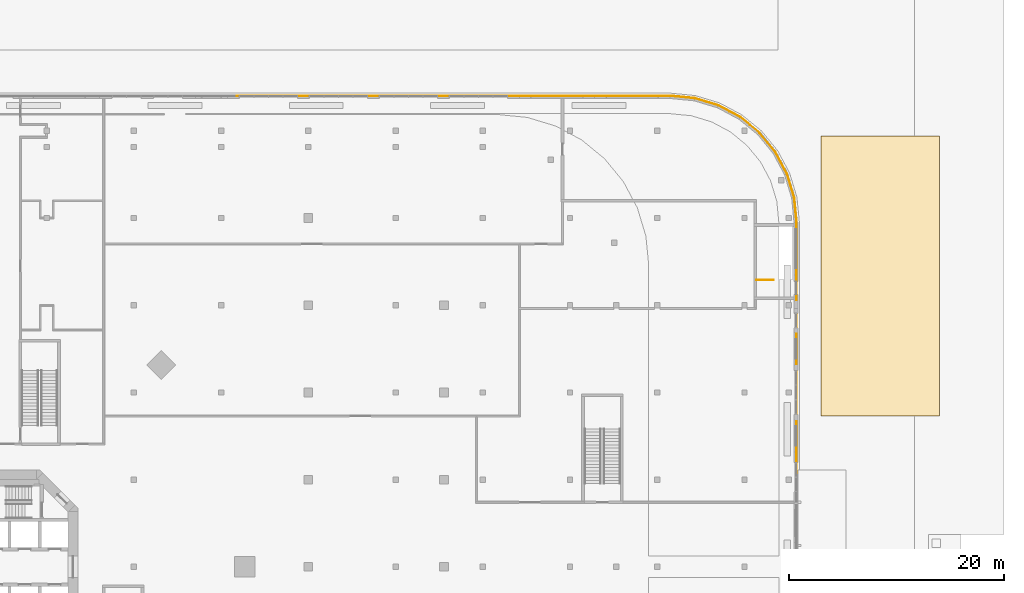
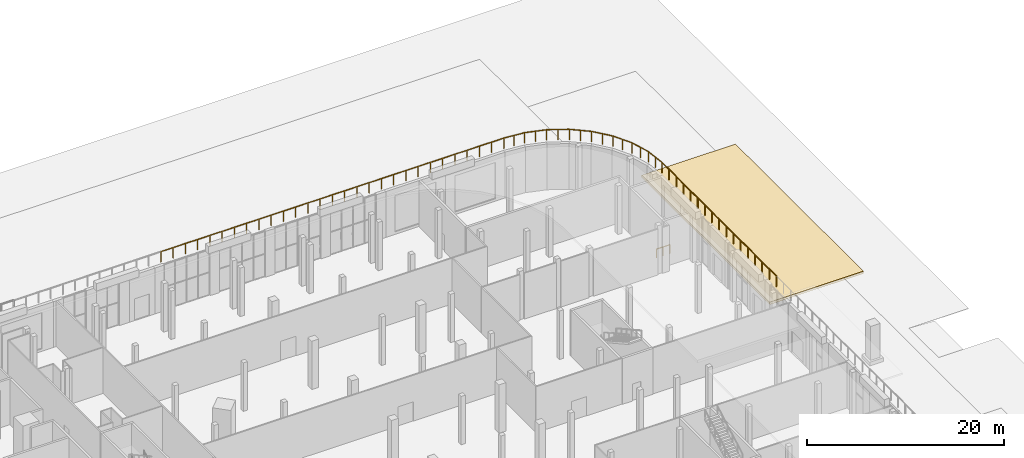
# One storey, part 31 of 32: 20 railings, 1 covering.
"""IFC4 building model written with IfcOpenShell, lengths in metres."""

from ifc_helpers import new_model, si_unit, direction, frame, origin, origin_2d, place, context, subcontext, project, spatial, polyline, rectangle, outline, extrude, material, layer, layer_set, type_object, element, save


model = new_model("IFC4")

# Units and contexts
model_context = context("Model", 3, precision=1e-05, world=origin(), true_north=direction((0.0, 1.0)))
body_context = subcontext(model_context, "Body", "Model", "MODEL_VIEW")
ifc_project = project(units=[si_unit("LENGTHUNIT", "METRE"), si_unit("AREAUNIT", "SQUARE_METRE"), si_unit("VOLUMEUNIT", "CUBIC_METRE"), si_unit("PLANEANGLEUNIT", "RADIAN"), si_unit("MASSUNIT", "GRAM", prefix="KILO")], contexts=[model_context])

# Site, building, storey
site_placement = place(None, origin())
site = spatial("IfcSite", under=ifc_project, at=site_placement, CompositionType="ELEMENT")
building_placement = place(site_placement, origin())
building = spatial("IfcBuilding", under=site, at=building_placement, Name="Torre Triforio", CompositionType="ELEMENT")
storey_placement = place(building_placement, origin())
storey = spatial("IfcBuildingStorey", under=building, at=storey_placement, Name="L00", CompositionType="ELEMENT", Elevation=0.0)

# Covering
ifc_material_1 = material(Name="Planted topsoil bed")
ifc_layer = layer(ifc_material_1, 0.300048828125)
ifc_layer_set = layer_set([ifc_layer], Name="Planted topsoil bed")
covering_type = type_object("IfcCoveringType", Name="Planted bed 300", PredefinedType="FLOORING", material=ifc_layer_set)
covering_placement = place(storey_placement, frame((0.0, 0.0, -0.25)))
element("IfcCovering", 1, at=covering_placement, inside=storey, type_object=covering_type, Name="Public garden planted bed east north", PredefinedType="FLOORING", context=body_context, shape_type="SweptSolid", body=[
    extrude(outline(polyline([(91.0, 14.0), (91.0, 40.0), (80.0, 40.0), (80.0, 14.0), (91.0, 14.0)])), origin(), (0.0, 0.0, 1.0), 0.300048828125),
])

# Railings
ifc_material_2 = material(Name="Stainless steel AISI 316", Category="steel")
railing_type_1 = type_object("IfcRailingType", Name="Stair well guard 1100", PredefinedType="GUARDRAIL", material=ifc_material_2)
railing_1_placement = place(storey_placement, frame((74.02490234375, 26.625, 0.0)))
element("IfcRailing", 2, at=railing_1_placement, inside=storey, type_object=railing_type_1, Name="Guard BS4 L00", PredefinedType="GUARDRAIL", context=body_context, shape_type="SweptSolid", body=[
    extrude(rectangle(XDim=0.048095703125, YDim=0.048095703125, at=origin_2d()), frame((0.0, 0.0, 1.076171875), z_axis=(1.0, 0.0, 0.0), x_axis=(0.0, 1.0, 0.0)), (0.0, 0.0, 1.0), 1.550048828125),
    extrude(rectangle(XDim=0.0419921875, YDim=0.0419921875, at=origin_2d()), origin(), (0.0, 0.0, 1.0), 1.052001953125),
    extrude(rectangle(XDim=0.0419921875, YDim=0.0419921875, at=origin_2d()), frame((0.77490234375, 0.0, 0.0)), (0.0, 0.0, 1.0), 1.052001953125),
    extrude(rectangle(XDim=0.0419921875, YDim=0.0419921875, at=origin_2d()), frame((1.550048828125, 0.0, 0.0)), (0.0, 0.0, 1.0), 1.052001953125),
])
railing_type_2 = type_object("IfcRailingType", Name="Terrace balustrade 1300", PredefinedType="BALUSTRADE", material=ifc_material_2)
for number, where, name in (
    (3, (77.75, 8.723876953125, 6.0), "Terrace T1 balustrade 09.8"),
    (4, (77.75, 14.539794921875, 6.0), "Terrace T1 balustrade 09.9"),
):
    element("IfcRailing", number, at=place(storey_placement, frame(where)), inside=storey, type_object=railing_type_2, Name=name, PredefinedType="BALUSTRADE", context=body_context, shape_type="SweptSolid", body=[
        extrude(rectangle(XDim=0.050048828125, YDim=0.050048828125, at=origin_2d()), frame((0.0, 0.0, 1.27490234375), z_axis=(0.0, 1.0, 0.0), x_axis=(-1.0, 0.0, 0.0)), (0.0, 0.0, 1.0), 5.81591796875),
        extrude(rectangle(XDim=0.0400390625, YDim=0.0400390625, at=origin_2d()), origin(), (0.0, 0.0, 1.0), 1.25),
        extrude(rectangle(XDim=0.0400390625, YDim=0.0400390625, at=origin_2d()), frame((0.0, 1.4541015625, 0.0)), (0.0, 0.0, 1.0), 1.25),
        extrude(rectangle(XDim=0.0400390625, YDim=0.0400390625, at=origin_2d()), frame((0.0, 2.907958984375, 0.0)), (0.0, 0.0, 1.0), 1.25),
        extrude(rectangle(XDim=0.0400390625, YDim=0.0400390625, at=origin_2d()), frame((0.0, 4.36181640625, 0.0)), (0.0, 0.0, 1.0), 1.25),
        extrude(rectangle(XDim=0.0400390625, YDim=0.0400390625, at=origin_2d()), frame((0.0, 5.81591796875, 0.0)), (0.0, 0.0, 1.0), 1.25),
    ])
railing_2_placement = place(storey_placement, frame((77.75, 20.355712890625, 6.0)))
element("IfcRailing", 5, at=railing_2_placement, inside=storey, type_object=railing_type_2, Name="Terrace T1 balustrade 09.10", PredefinedType="BALUSTRADE", context=body_context, shape_type="SweptSolid", body=[
    extrude(rectangle(XDim=0.050048828125, YDim=0.050048828125, at=origin_2d()), frame((0.0, 0.0, 1.27490234375), z_axis=(0.0, 1.0, 0.0), x_axis=(-1.0, 0.0, 0.0)), (0.0, 0.0, 1.0), 5.816162109375),
    extrude(rectangle(XDim=0.0400390625, YDim=0.0400390625, at=origin_2d()), origin(), (0.0, 0.0, 1.0), 1.25),
    extrude(rectangle(XDim=0.0400390625, YDim=0.0400390625, at=origin_2d()), frame((0.0, 1.4541015625, 0.0)), (0.0, 0.0, 1.0), 1.25),
    extrude(rectangle(XDim=0.0400390625, YDim=0.0400390625, at=origin_2d()), frame((0.0, 2.908203125, 0.0)), (0.0, 0.0, 1.0), 1.25),
    extrude(rectangle(XDim=0.0400390625, YDim=0.0400390625, at=origin_2d()), frame((0.0, 4.362060546875, 0.0)), (0.0, 0.0, 1.0), 1.25),
    extrude(rectangle(XDim=0.0400390625, YDim=0.0400390625, at=origin_2d()), frame((0.0, 5.816162109375, 0.0)), (0.0, 0.0, 1.0), 1.25),
])
railing_3_placement = place(storey_placement, frame((77.75, 26.171875, 6.0)))
element("IfcRailing", 6, at=railing_3_placement, inside=storey, type_object=railing_type_2, Name="Terrace T1 balustrade 09.11", PredefinedType="BALUSTRADE", context=body_context, shape_type="SweptSolid", body=[
    extrude(rectangle(XDim=0.050048828125, YDim=0.050048828125, at=origin_2d()), frame((0.0, 0.0, 1.27490234375), z_axis=(0.0, 1.0, 0.0), x_axis=(-1.0, 0.0, 0.0)), (0.0, 0.0, 1.0), 5.81591796875),
    extrude(rectangle(XDim=0.0400390625, YDim=0.0400390625, at=origin_2d()), origin(), (0.0, 0.0, 1.0), 1.25),
    extrude(rectangle(XDim=0.0400390625, YDim=0.0400390625, at=origin_2d()), frame((0.0, 1.4541015625, 0.0)), (0.0, 0.0, 1.0), 1.25),
    extrude(rectangle(XDim=0.0400390625, YDim=0.0400390625, at=origin_2d()), frame((0.0, 2.907958984375, 0.0)), (0.0, 0.0, 1.0), 1.25),
    extrude(rectangle(XDim=0.0400390625, YDim=0.0400390625, at=origin_2d()), frame((0.0, 4.36181640625, 0.0)), (0.0, 0.0, 1.0), 1.25),
    extrude(rectangle(XDim=0.0400390625, YDim=0.0400390625, at=origin_2d()), frame((0.0, 5.81591796875, 0.0)), (0.0, 0.0, 1.0), 1.25),
])
railing_4_placement = place(storey_placement, frame((77.75, 31.98779296875, 6.0)))
element("IfcRailing", 7, at=railing_4_placement, inside=storey, type_object=railing_type_2, Name="Terrace T1 balustrade 10", PredefinedType="BALUSTRADE", context=body_context, shape_type="SweptSolid", body=[
    extrude(rectangle(XDim=0.050048828125, YDim=0.050048828125, at=origin_2d()), frame((0.0, 0.0, 1.27490234375), z_axis=(-0.098062895086, 0.99518021916, 0.0), x_axis=(-0.99518021916, -0.098062895086, 0.0)), (0.0, 0.0, 1.0), 2.3154296875),
    extrude(rectangle(XDim=0.0400390625, YDim=0.0400390625, at=origin_2d()), origin(), (0.0, 0.0, 1.0), 1.25),
    extrude(rectangle(XDim=0.0400390625, YDim=0.0400390625, at=origin_2d()), frame((-0.113525390625, 1.152099609375, 0.0)), (0.0, 0.0, 1.0), 1.25),
    extrude(rectangle(XDim=0.0400390625, YDim=0.0400390625, at=origin_2d()), frame((-0.22705078125, 2.30419921875, 0.0)), (0.0, 0.0, 1.0), 1.25),
])
railing_5_placement = place(storey_placement, frame((77.52294921875, 34.2919921875, 6.0)))
element("IfcRailing", 8, at=railing_5_placement, inside=storey, type_object=railing_type_2, Name="Terrace T1 balustrade 11", PredefinedType="BALUSTRADE", context=body_context, shape_type="SweptSolid", body=[
    extrude(rectangle(XDim=0.050048828125, YDim=0.050048828125, at=origin_2d()), frame((0.0, 0.0, 1.27490234375), z_axis=(-0.290225091232, 0.956958408929, 0.0), x_axis=(-0.956958408929, -0.290225091232, 0.0)), (0.0, 0.0, 1.0), 2.30322265625),
    extrude(rectangle(XDim=0.0400390625, YDim=0.0400390625, at=origin_2d()), origin(), (0.0, 0.0, 1.0), 1.25),
    extrude(rectangle(XDim=0.0400390625, YDim=0.0400390625, at=origin_2d()), frame((-0.334228515625, 1.10205078125, 0.0)), (0.0, 0.0, 1.0), 1.25),
    extrude(rectangle(XDim=0.0400390625, YDim=0.0400390625, at=origin_2d()), frame((-0.66845703125, 2.2041015625, 0.0)), (0.0, 0.0, 1.0), 1.25),
])
railing_6_placement = place(storey_placement, frame((76.8544921875, 36.49609375, 6.0)))
element("IfcRailing", 9, at=railing_6_placement, inside=storey, type_object=railing_type_2, Name="Terrace T1 balustrade 12", PredefinedType="BALUSTRADE", context=body_context, shape_type="SweptSolid", body=[
    extrude(rectangle(XDim=0.050048828125, YDim=0.050048828125, at=origin_2d()), frame((0.0, 0.0, 1.27490234375), z_axis=(-0.471385800251, 0.881927109982, 0.0), x_axis=(-0.881927109982, -0.471385800251, 0.0)), (0.0, 0.0, 1.0), 2.30322265625),
    extrude(rectangle(XDim=0.0400390625, YDim=0.0400390625, at=origin_2d()), origin(), (0.0, 0.0, 1.0), 1.25),
    extrude(rectangle(XDim=0.0400390625, YDim=0.0400390625, at=origin_2d()), frame((-0.54296875, 1.015625, 0.0)), (0.0, 0.0, 1.0), 1.25),
    extrude(rectangle(XDim=0.0400390625, YDim=0.0400390625, at=origin_2d()), frame((-1.085693359375, 2.03125, 0.0)), (0.0, 0.0, 1.0), 1.25),
])
railing_7_placement = place(storey_placement, frame((75.768798828125, 38.52734375, 6.0)))
element("IfcRailing", 10, at=railing_7_placement, inside=storey, type_object=railing_type_2, Name="Terrace T1 balustrade 13", PredefinedType="BALUSTRADE", context=body_context, shape_type="SweptSolid", body=[
    extrude(rectangle(XDim=0.050048828125, YDim=0.050048828125, at=origin_2d()), frame((0.0, 0.0, 1.27490234375), z_axis=(-0.634431938273, 0.772978729137, 0.0), x_axis=(-0.772978729137, -0.634431938273, 0.0)), (0.0, 0.0, 1.0), 2.30322265625),
    extrude(rectangle(XDim=0.0400390625, YDim=0.0400390625, at=origin_2d()), origin(), (0.0, 0.0, 1.0), 1.25),
    extrude(rectangle(XDim=0.0400390625, YDim=0.0400390625, at=origin_2d()), frame((-0.73046875, 0.89013671875, 0.0)), (0.0, 0.0, 1.0), 1.25),
    extrude(rectangle(XDim=0.0400390625, YDim=0.0400390625, at=origin_2d()), frame((-1.461181640625, 1.7802734375, 0.0)), (0.0, 0.0, 1.0), 1.25),
])
railing_8_placement = place(storey_placement, frame((74.3076171875, 40.3076171875, 6.0)))
element("IfcRailing", 11, at=railing_8_placement, inside=storey, type_object=railing_type_2, Name="Terrace T1 balustrade 14", PredefinedType="BALUSTRADE", context=body_context, shape_type="SweptSolid", body=[
    extrude(rectangle(XDim=0.050048828125, YDim=0.050048828125, at=origin_2d()), frame((0.0, 0.0, 1.27490234375), z_axis=(-0.772978729137, 0.634431938273, 0.0), x_axis=(-0.634431938273, -0.772978729137, 0.0)), (0.0, 0.0, 1.0), 2.30322265625),
    extrude(rectangle(XDim=0.0400390625, YDim=0.0400390625, at=origin_2d()), origin(), (0.0, 0.0, 1.0), 1.25),
    extrude(rectangle(XDim=0.0400390625, YDim=0.0400390625, at=origin_2d()), frame((-0.89013671875, 0.73046875, 0.0)), (0.0, 0.0, 1.0), 1.25),
    extrude(rectangle(XDim=0.0400390625, YDim=0.0400390625, at=origin_2d()), frame((-1.7802734375, 1.461181640625, 0.0)), (0.0, 0.0, 1.0), 1.25),
])
railing_9_placement = place(storey_placement, frame((72.52734375, 41.768798828125, 6.0)))
element("IfcRailing", 12, at=railing_9_placement, inside=storey, type_object=railing_type_2, Name="Terrace T1 balustrade 15", PredefinedType="BALUSTRADE", context=body_context, shape_type="SweptSolid", body=[
    extrude(rectangle(XDim=0.050048828125, YDim=0.050048828125, at=origin_2d()), frame((0.0, 0.0, 1.27490234375), z_axis=(-0.881927109982, 0.471385800251, 0.0), x_axis=(-0.471385800251, -0.881927109982, 0.0)), (0.0, 0.0, 1.0), 2.30322265625),
    extrude(rectangle(XDim=0.0400390625, YDim=0.0400390625, at=origin_2d()), origin(), (0.0, 0.0, 1.0), 1.25),
    extrude(rectangle(XDim=0.0400390625, YDim=0.0400390625, at=origin_2d()), frame((-1.015625, 0.54296875, 0.0)), (0.0, 0.0, 1.0), 1.25),
    extrude(rectangle(XDim=0.0400390625, YDim=0.0400390625, at=origin_2d()), frame((-2.03125, 1.085693359375, 0.0)), (0.0, 0.0, 1.0), 1.25),
])
railing_10_placement = place(storey_placement, frame((70.49609375, 42.8544921875, 6.0)))
element("IfcRailing", 13, at=railing_10_placement, inside=storey, type_object=railing_type_2, Name="Terrace T1 balustrade 16", PredefinedType="BALUSTRADE", context=body_context, shape_type="SweptSolid", body=[
    extrude(rectangle(XDim=0.050048828125, YDim=0.050048828125, at=origin_2d()), frame((0.0, 0.0, 1.27490234375), z_axis=(-0.956958408929, 0.290225091232, 0.0), x_axis=(-0.290225091232, -0.956958408929, 0.0)), (0.0, 0.0, 1.0), 2.30322265625),
    extrude(rectangle(XDim=0.0400390625, YDim=0.0400390625, at=origin_2d()), origin(), (0.0, 0.0, 1.0), 1.25),
    extrude(rectangle(XDim=0.0400390625, YDim=0.0400390625, at=origin_2d()), frame((-1.10205078125, 0.334228515625, 0.0)), (0.0, 0.0, 1.0), 1.25),
    extrude(rectangle(XDim=0.0400390625, YDim=0.0400390625, at=origin_2d()), frame((-2.2041015625, 0.66845703125, 0.0)), (0.0, 0.0, 1.0), 1.25),
])
railing_11_placement = place(storey_placement, frame((68.2919921875, 43.52294921875, 6.0)))
element("IfcRailing", 14, at=railing_11_placement, inside=storey, type_object=railing_type_2, Name="Terrace T1 balustrade 17", PredefinedType="BALUSTRADE", context=body_context, shape_type="SweptSolid", body=[
    extrude(rectangle(XDim=0.050048828125, YDim=0.050048828125, at=origin_2d()), frame((0.0, 0.0, 1.27490234375), z_axis=(-0.99518021916, 0.098062895086, 0.0), x_axis=(-0.098062895086, -0.99518021916, 0.0)), (0.0, 0.0, 1.0), 2.3154296875),
    extrude(rectangle(XDim=0.0400390625, YDim=0.0400390625, at=origin_2d()), origin(), (0.0, 0.0, 1.0), 1.25),
    extrude(rectangle(XDim=0.0400390625, YDim=0.0400390625, at=origin_2d()), frame((-1.152099609375, 0.113525390625, 0.0)), (0.0, 0.0, 1.0), 1.25),
    extrude(rectangle(XDim=0.0400390625, YDim=0.0400390625, at=origin_2d()), frame((-2.30419921875, 0.22705078125, 0.0)), (0.0, 0.0, 1.0), 1.25),
])
for number, where, name in (
    (15, (65.98779296875, 43.75, 6.0), "Terrace T1 balustrade 18.1"),
    (16, (60.2392578125, 43.75, 6.0), "Terrace T1 balustrade 18.2"),
    (17, (54.49072265625, 43.75, 6.0), "Terrace T1 balustrade 18.3"),
):
    element("IfcRailing", number, at=place(storey_placement, frame(where)), inside=storey, type_object=railing_type_2, Name=name, PredefinedType="BALUSTRADE", context=body_context, shape_type="SweptSolid", body=[
        extrude(rectangle(XDim=0.050048828125, YDim=0.050048828125, at=origin_2d()), frame((0.0, 0.0, 1.27490234375), z_axis=(-1.0, 0.0, 0.0), x_axis=(0.0, -1.0, 0.0)), (0.0, 0.0, 1.0), 5.74853515625),
        extrude(rectangle(XDim=0.0400390625, YDim=0.0400390625, at=origin_2d()), origin(), (0.0, 0.0, 1.0), 1.25),
        extrude(rectangle(XDim=0.0400390625, YDim=0.0400390625, at=origin_2d()), frame((-1.43701171875, 0.0, 0.0)), (0.0, 0.0, 1.0), 1.25),
        extrude(rectangle(XDim=0.0400390625, YDim=0.0400390625, at=origin_2d()), frame((-2.874267578125, 0.0, 0.0)), (0.0, 0.0, 1.0), 1.25),
        extrude(rectangle(XDim=0.0400390625, YDim=0.0400390625, at=origin_2d()), frame((-4.3115234375, 0.0, 0.0)), (0.0, 0.0, 1.0), 1.25),
        extrude(rectangle(XDim=0.0400390625, YDim=0.0400390625, at=origin_2d()), frame((-5.74853515625, 0.0, 0.0)), (0.0, 0.0, 1.0), 1.25),
    ])
railing_12_placement = place(storey_placement, frame((48.7421875, 43.75, 6.0)))
element("IfcRailing", 18, at=railing_12_placement, inside=storey, type_object=railing_type_2, Name="Terrace T1 balustrade 18.4", PredefinedType="BALUSTRADE", context=body_context, shape_type="SweptSolid", body=[
    extrude(rectangle(XDim=0.050048828125, YDim=0.050048828125, at=origin_2d()), frame((0.0, 0.0, 1.27490234375), z_axis=(-1.0, 0.0, 0.0), x_axis=(0.0, -1.0, 0.0)), (0.0, 0.0, 1.0), 5.748291015625),
    extrude(rectangle(XDim=0.0400390625, YDim=0.0400390625, at=origin_2d()), origin(), (0.0, 0.0, 1.0), 1.25),
    extrude(rectangle(XDim=0.0400390625, YDim=0.0400390625, at=origin_2d()), frame((-1.43701171875, 0.0, 0.0)), (0.0, 0.0, 1.0), 1.25),
    extrude(rectangle(XDim=0.0400390625, YDim=0.0400390625, at=origin_2d()), frame((-2.8740234375, 0.0, 0.0)), (0.0, 0.0, 1.0), 1.25),
    extrude(rectangle(XDim=0.0400390625, YDim=0.0400390625, at=origin_2d()), frame((-4.311279296875, 0.0, 0.0)), (0.0, 0.0, 1.0), 1.25),
    extrude(rectangle(XDim=0.0400390625, YDim=0.0400390625, at=origin_2d()), frame((-5.748291015625, 0.0, 0.0)), (0.0, 0.0, 1.0), 1.25),
])
for number, where, name in (
    (19, (42.993896484375, 43.75, 6.0), "Terrace T1 balustrade 18.5"),
    (20, (37.245361328125, 43.75, 6.0), "Terrace T1 balustrade 18.6"),
):
    element("IfcRailing", number, at=place(storey_placement, frame(where)), inside=storey, type_object=railing_type_2, Name=name, PredefinedType="BALUSTRADE", context=body_context, shape_type="SweptSolid", body=[
        extrude(rectangle(XDim=0.050048828125, YDim=0.050048828125, at=origin_2d()), frame((0.0, 0.0, 1.27490234375), z_axis=(-1.0, 0.0, 0.0), x_axis=(0.0, -1.0, 0.0)), (0.0, 0.0, 1.0), 5.74853515625),
        extrude(rectangle(XDim=0.0400390625, YDim=0.0400390625, at=origin_2d()), origin(), (0.0, 0.0, 1.0), 1.25),
        extrude(rectangle(XDim=0.0400390625, YDim=0.0400390625, at=origin_2d()), frame((-1.43701171875, 0.0, 0.0)), (0.0, 0.0, 1.0), 1.25),
        extrude(rectangle(XDim=0.0400390625, YDim=0.0400390625, at=origin_2d()), frame((-2.874267578125, 0.0, 0.0)), (0.0, 0.0, 1.0), 1.25),
        extrude(rectangle(XDim=0.0400390625, YDim=0.0400390625, at=origin_2d()), frame((-4.3115234375, 0.0, 0.0)), (0.0, 0.0, 1.0), 1.25),
        extrude(rectangle(XDim=0.0400390625, YDim=0.0400390625, at=origin_2d()), frame((-5.74853515625, 0.0, 0.0)), (0.0, 0.0, 1.0), 1.25),
    ])
railing_13_placement = place(storey_placement, frame((31.496826171875, 43.75, 6.0)))
element("IfcRailing", 21, at=railing_13_placement, inside=storey, type_object=railing_type_2, Name="Terrace T1 balustrade 18.7", PredefinedType="BALUSTRADE", context=body_context, shape_type="SweptSolid", body=[
    extrude(rectangle(XDim=0.050048828125, YDim=0.050048828125, at=origin_2d()), frame((0.0, 0.0, 1.27490234375), z_axis=(-1.0, 0.0, 0.0), x_axis=(0.0, -1.0, 0.0)), (0.0, 0.0, 1.0), 5.748291015625),
    extrude(rectangle(XDim=0.0400390625, YDim=0.0400390625, at=origin_2d()), origin(), (0.0, 0.0, 1.0), 1.25),
    extrude(rectangle(XDim=0.0400390625, YDim=0.0400390625, at=origin_2d()), frame((-1.43701171875, 0.0, 0.0)), (0.0, 0.0, 1.0), 1.25),
    extrude(rectangle(XDim=0.0400390625, YDim=0.0400390625, at=origin_2d()), frame((-2.8740234375, 0.0, 0.0)), (0.0, 0.0, 1.0), 1.25),
    extrude(rectangle(XDim=0.0400390625, YDim=0.0400390625, at=origin_2d()), frame((-4.311279296875, 0.0, 0.0)), (0.0, 0.0, 1.0), 1.25),
    extrude(rectangle(XDim=0.0400390625, YDim=0.0400390625, at=origin_2d()), frame((-5.748291015625, 0.0, 0.0)), (0.0, 0.0, 1.0), 1.25),
])

save(model, "model.ifc")
